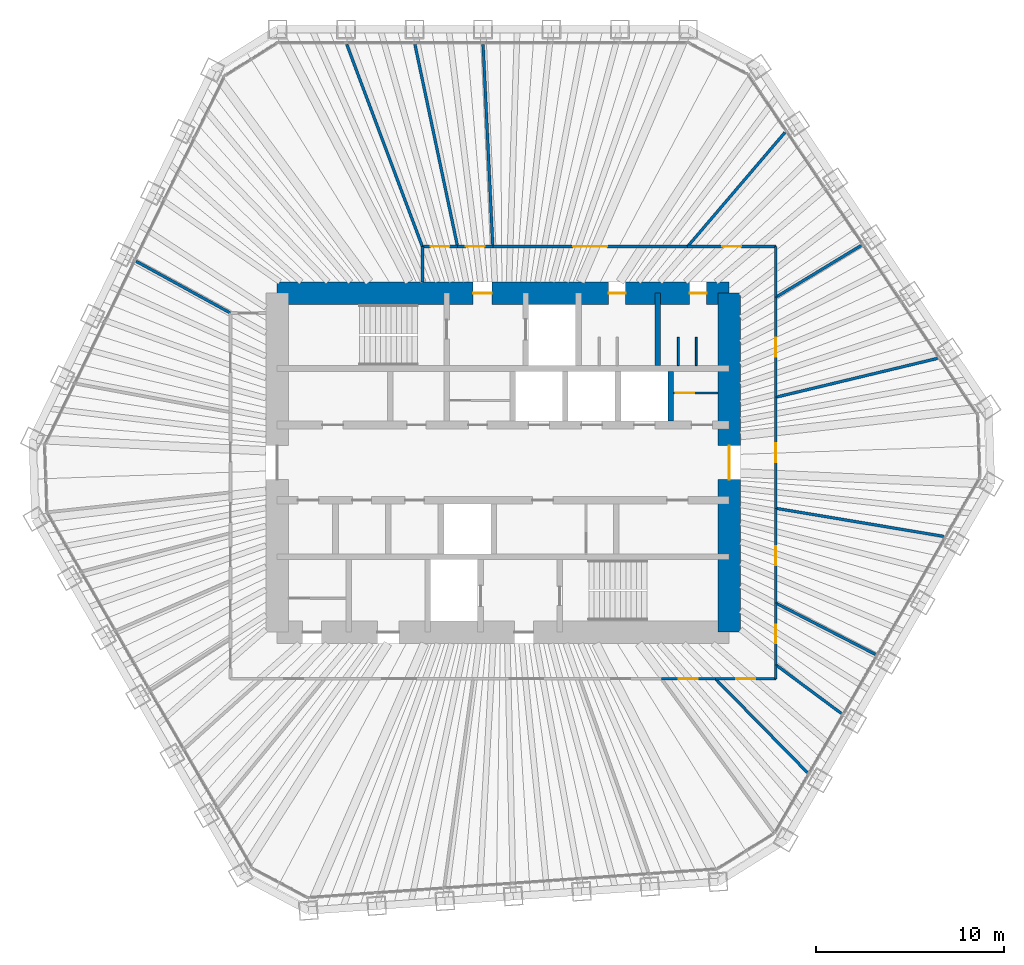
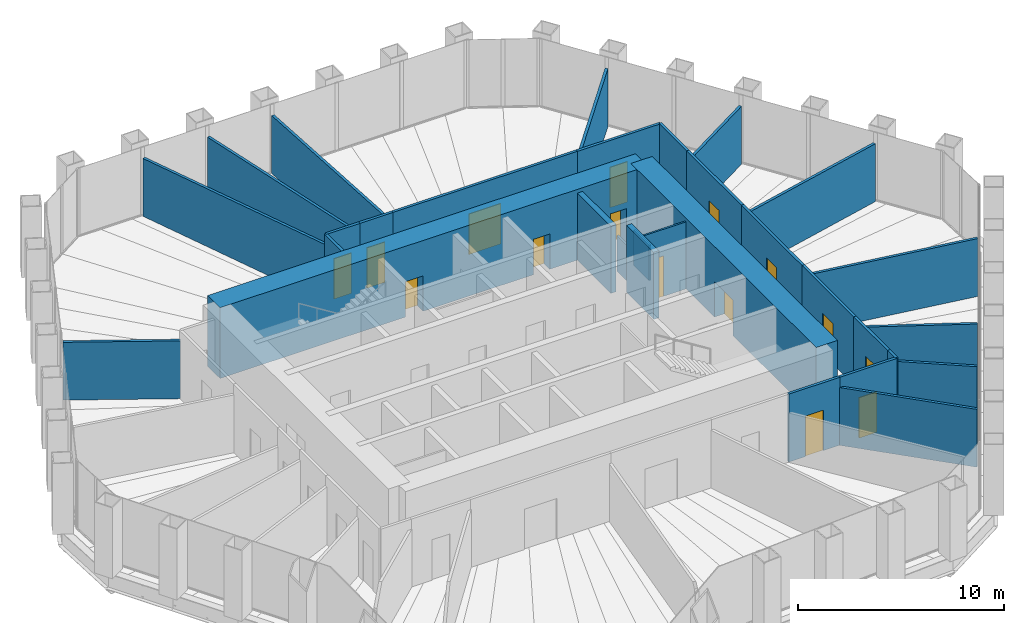
# One storey, part 12 of 14: 31 walls, 15 doors, 15 openings.
"""IFC4 building model written with IfcOpenShell, lengths in metres."""

from ifc_helpers import new_model, si_unit, direction, frame, frame_2d, origin, place, context, subcontext, project, spatial, rectangle, extrude, material, layer, layer_set, type_object, element, fill, save


model = new_model("IFC4")

# Units and contexts
model_context = context("Model", 3, precision=1e-05, world=origin(), true_north=direction((0.0, 1.0)))
body_context = subcontext(model_context, "Body", "Model", "MODEL_VIEW")
ifc_project = project(units=[si_unit("LENGTHUNIT", "METRE"), si_unit("AREAUNIT", "SQUARE_METRE"), si_unit("VOLUMEUNIT", "CUBIC_METRE"), si_unit("PLANEANGLEUNIT", "RADIAN"), si_unit("MASSUNIT", "GRAM", prefix="KILO")], contexts=[model_context])

# Site, building, storey
site_placement = place(None, origin())
site = spatial("IfcSite", under=ifc_project, at=site_placement, CompositionType="ELEMENT")
building_placement = place(site_placement, origin())
building = spatial("IfcBuilding", under=site, at=building_placement, Name="Qingtian Harvest Tower", CompositionType="ELEMENT")
storey_placement = place(building_placement, frame((0.0, 0.0, 235.0)))
storey = spatial("IfcBuildingStorey", under=building, at=storey_placement, Name="L51", CompositionType="ELEMENT", Elevation=235.0)

# Walls
ifc_material_1 = material(Name="Precast concrete shaft panel", Category="concrete")
ifc_layer_1 = layer(ifc_material_1, 0.300048828125)
ifc_layer_set_1 = layer_set([ifc_layer_1], Name="Core shaft partition SW1 300")
wall_type_1 = type_object("IfcWallType", Name="Core shaft partition SW1 300", PredefinedType="PARTITIONING", material=ifc_layer_set_1)
wall_1_placement = place(storey_placement, frame((8.199951171875, 5.14990234375, 0.0), z_axis=(0.0, 0.0, 1.0), x_axis=(0.0, 1.0, 0.0)))
element("IfcWall", 1, at=wall_1_placement, inside=storey, type_object=wall_type_1, Name="Core shaft partition XN4 L51", PredefinedType="PARTITIONING", context=body_context, shape_type="SweptSolid", body=[
    extrude(rectangle(XDim=3.85009765625, YDim=0.300048828125, at=frame_2d((1.925048828125, 0.0))), origin(), (0.0, 0.0, 1.0), 3.97998046875),
])
wall_2_placement = place(storey_placement, frame((8.89990234375, 2.199951171875, 0.0), z_axis=(0.0, 0.0, 1.0), x_axis=(0.0, 1.0, 0.0)))
element("IfcWall", 2, at=wall_2_placement, inside=storey, type_object=wall_type_1, Name="Core shaft partition XA6 L51", PredefinedType="PARTITIONING", context=body_context, shape_type="SweptSolid", body=[
    extrude(rectangle(XDim=2.650146484375, YDim=0.300048828125, at=frame_2d((1.3251953125, 0.0))), origin(), (0.0, 0.0, 1.0), 3.97998046875),
])

# Wall, openings, doors
ifc_material_2 = material(Name="Concrete fc' 70 MPa", Category="concrete")
ifc_layer_2 = layer(ifc_material_2, 1.199951171875)
ifc_layer_set_2 = layer_set([ifc_layer_2], Name="Core wall RC2 1200")
wall_type_2 = type_object("IfcWallType", Name="Core wall RC2 1200", PredefinedType="SHEAR", material=ifc_layer_set_2)
wall_3_placement = place(storey_placement, frame((-12.0, 9.0, 0.0), z_axis=(0.0, 0.0, 1.0), x_axis=(1.0, 0.0, 0.0)))
wall_3 = element("IfcWall", 3, at=wall_3_placement, inside=storey, type_object=wall_type_2, Name="Core wall CN L51", PredefinedType="SHEAR", context=body_context, shape_type="SweptSolid", body=[
    extrude(rectangle(XDim=24.0, YDim=1.199951171875, at=frame_2d((12.0, 0.0))), origin(), (0.0, 0.0, 1.0), 4.199951171875),
])
opening_1_placement = place(wall_3_placement, frame((10.39990234375, 0.0, 0.0)))
opening_1 = element("IfcOpeningElement", 4, at=opening_1_placement, cuts=wall_3, Name="Opening FD1", PredefinedType="OPENING", context=body_context, shape_type="SweptSolid", body=[
    extrude(rectangle(XDim=1.0, YDim=2.10009765625, at=frame_2d((0.5, 1.050048828125))), frame((0.0, 0.60986328125, 0.0), z_axis=(0.0, -1.0, 0.0), x_axis=(1.0, 0.0, 0.0)), (0.0, 0.0, 1.0), 1.219970703125),
])
opening_2_placement = place(wall_3_placement, frame((17.60009765625, 0.0, 0.0)))
opening_2 = element("IfcOpeningElement", 5, at=opening_2_placement, cuts=wall_3, Name="Opening D1", PredefinedType="OPENING", context=body_context, shape_type="SweptSolid", body=[
    extrude(rectangle(XDim=0.89990234375, YDim=2.10009765625, at=frame_2d((0.449951171875, 1.050048828125))), frame((0.0, 0.60986328125, 0.0), z_axis=(0.0, -1.0, 0.0), x_axis=(1.0, 0.0, 0.0)), (0.0, 0.0, 1.0), 1.219970703125),
])
opening_3_placement = place(wall_3_placement, frame((21.89990234375, 0.0, 0.0)))
opening_3 = element("IfcOpeningElement", 6, at=opening_3_placement, cuts=wall_3, Name="Opening D1", PredefinedType="OPENING", context=body_context, shape_type="SweptSolid", body=[
    extrude(rectangle(XDim=0.89990234375, YDim=2.10009765625, at=frame_2d((0.449951171875, 1.050048828125))), frame((0.0, 0.60986328125, 0.0), z_axis=(0.0, -1.0, 0.0), x_axis=(1.0, 0.0, 0.0)), (0.0, 0.0, 1.0), 1.219970703125),
])
ifc_material_3 = material(Name="Steel-faced door leaf", Category="steel")
door_type_1 = type_object("IfcDoorType", Name="Fire door FD1 single 1 HR", OperationType="SINGLE_SWING_LEFT", PredefinedType="DOOR", material=ifc_material_3)
door_1_placement = place(opening_1_placement, origin())
door_1 = element("IfcDoor", 7, at=door_1_placement, inside=storey, type_object=door_type_1, Name="V1 door L51", OperationType="SINGLE_SWING_RIGHT", OverallHeight=2.10009765625, OverallWidth=1.0, PredefinedType="DOOR", context=body_context, shape_type="SweptSolid", body=[
    extrude(rectangle(XDim=1.0, YDim=2.10009765625, at=frame_2d((0.5, 1.050048828125))), frame((0.0, 0.02490234375, 0.0), z_axis=(0.0, -1.0, 0.0), x_axis=(1.0, 0.0, 0.0)), (0.0, 0.0, 1.0), 0.050048828125),
])
fill(opening_1, door_1)
ifc_material_4 = material(Name="Laminated timber door leaf", Category="wood")
door_type_2 = type_object("IfcDoorType", Name="Toilet door D1 single", OperationType="SINGLE_SWING_LEFT", PredefinedType="DOOR", material=ifc_material_4)
door_2_placement = place(opening_2_placement, origin())
door_2 = element("IfcDoor", 8, at=door_2_placement, inside=storey, type_object=door_type_2, Name="WCM door L51", OperationType="SINGLE_SWING_LEFT", OverallHeight=2.10009765625, OverallWidth=0.89990234375, PredefinedType="DOOR", context=body_context, shape_type="SweptSolid", body=[
    extrude(rectangle(XDim=0.89990234375, YDim=2.10009765625, at=frame_2d((0.449951171875, 1.050048828125))), frame((0.0, 0.02490234375, 0.0), z_axis=(0.0, -1.0, 0.0), x_axis=(1.0, 0.0, 0.0)), (0.0, 0.0, 1.0), 0.050048828125),
])
fill(opening_2, door_2)
door_3_placement = place(opening_3_placement, origin())
door_3 = element("IfcDoor", 9, at=door_3_placement, inside=storey, type_object=door_type_2, Name="WCF door L51", OperationType="SINGLE_SWING_LEFT", OverallHeight=2.10009765625, OverallWidth=0.89990234375, PredefinedType="DOOR", context=body_context, shape_type="SweptSolid", body=[
    extrude(rectangle(XDim=0.89990234375, YDim=2.10009765625, at=frame_2d((0.449951171875, 1.050048828125))), frame((0.0, 0.02490234375, 0.0), z_axis=(0.0, -1.0, 0.0), x_axis=(1.0, 0.0, 0.0)), (0.0, 0.0, 1.0), 0.050048828125),
])
fill(opening_3, door_3)

# Wall, opening, door
wall_4_placement = place(storey_placement, frame((12.0, -9.0, 0.0), z_axis=(0.0, 0.0, 1.0), x_axis=(0.0, 1.0, 0.0)))
wall_4 = element("IfcWall", 10, at=wall_4_placement, inside=storey, type_object=wall_type_2, Name="Core wall CE L51", PredefinedType="SHEAR", context=body_context, shape_type="SweptSolid", body=[
    extrude(rectangle(XDim=18.0, YDim=1.199951171875, at=frame_2d((9.0, 0.0))), origin(), (0.0, 0.0, 1.0), 4.199951171875),
])
opening_4_placement = place(wall_4_placement, frame((8.10009765625, 0.0, 0.0)))
opening_4 = element("IfcOpeningElement", 11, at=opening_4_placement, cuts=wall_4, Name="Opening FD2", PredefinedType="OPENING", context=body_context, shape_type="SweptSolid", body=[
    extrude(rectangle(XDim=1.800048828125, YDim=2.10009765625, at=frame_2d((0.89990234375, 1.050048828125))), frame((0.0, 0.60986328125, 0.0), z_axis=(0.0, -1.0, 0.0), x_axis=(1.0, 0.0, 0.0)), (0.0, 0.0, 1.0), 1.219970703125),
])
ifc_material_5 = material(Name="Steel-faced door leaf", Category="steel")
door_type_3 = type_object("IfcDoorType", Name="Fire door FD2 double 1 HR", OperationType="DOUBLE_DOOR_DOUBLE_SWING", PredefinedType="DOOR", material=ifc_material_5)
door_4_placement = place(opening_4_placement, origin())
door_4 = element("IfcDoor", 12, at=door_4_placement, inside=storey, type_object=door_type_3, Name="LOBBY-E door L51", OperationType="DOUBLE_DOOR_DOUBLE_SWING", OverallHeight=2.10009765625, OverallWidth=1.800048828125, PredefinedType="DOOR", context=body_context, shape_type="SweptSolid", body=[
    extrude(rectangle(XDim=1.800048828125, YDim=2.10009765625, at=frame_2d((0.89990234375, 1.050048828125))), frame((0.0, 0.02490234375, 0.0), z_axis=(0.0, -1.0, 0.0), x_axis=(1.0, 0.0, 0.0)), (0.0, 0.0, 1.0), 0.050048828125),
])
fill(opening_4, door_4)

# Walls
ifc_material_6 = material(Name="Gypsum board on steel studs", Category="steel")
ifc_layer_3 = layer(ifc_material_6, 0.14990234375)
ifc_layer_set_3 = layer_set([ifc_layer_3], Name="Partition PT1 150")
wall_type_3 = type_object("IfcWallType", Name="Partition PT1 150", PredefinedType="PARTITIONING", material=ifc_layer_set_3)
wall_5_placement = place(storey_placement, frame((-19.48583984375, 10.6904296875, 0.0), z_axis=(0.0, 0.0, 1.0), x_axis=(0.876724089264, -0.480993629172, 0.0)))
element("IfcWall", 13, at=wall_5_placement, inside=storey, type_object=wall_type_3, Name="Workplace zone wall L51", PredefinedType="PARTITIONING", context=body_context, shape_type="SweptSolid", body=[
    extrude(rectangle(XDim=5.71533203125, YDim=0.14990234375, at=frame_2d((2.857666015625, 0.0))), origin(), (0.0, 0.0, 1.0), 3.429931640625),
])
wall_6_placement = place(storey_placement, frame((-4.290771484375, 9.60009765625, 0.0), z_axis=(0.0, 0.0, 1.0), x_axis=(0.0, 1.0, 0.0)))
element("IfcWall", 14, at=wall_6_placement, inside=storey, type_object=wall_type_3, Name="Workplace zone wall L51", PredefinedType="PARTITIONING", context=body_context, shape_type="SweptSolid", body=[
    extrude(rectangle(XDim=1.875, YDim=0.14990234375, at=frame_2d((0.9375, 0.0))), origin(), (0.0, 0.0, 1.0), 4.030029296875),
])
wall_7_placement = place(storey_placement, frame((-8.303466796875, 22.206298828125, 0.0), z_axis=(0.0, 0.0, 1.0), x_axis=(0.350242883069, -0.936658914899, 0.0)))
element("IfcWall", 15, at=wall_7_placement, inside=storey, type_object=wall_type_3, Name="Private office wall L51", PredefinedType="PARTITIONING", context=body_context, shape_type="SweptSolid", body=[
    extrude(rectangle(XDim=11.456787109375, YDim=0.14990234375, at=frame_2d((5.728515625, 0.0))), origin(), (0.0, 0.0, 1.0), 3.429931640625),
])

# Wall, opening, door
wall_8_placement = place(storey_placement, frame((-4.290771484375, 11.47509765625, 0.0), z_axis=(0.0, 0.0, 1.0), x_axis=(1.0, 0.0, 0.0)))
wall_8 = element("IfcWall", 16, at=wall_8_placement, inside=storey, type_object=wall_type_3, Name="Private office wall L51", PredefinedType="PARTITIONING", context=body_context, shape_type="SweptSolid", body=[
    extrude(rectangle(XDim=1.869873046875, YDim=0.14990234375, at=frame_2d((0.93505859375, 0.0))), origin(), (0.0, 0.0, 1.0), 4.030029296875),
])
opening_5_placement = place(wall_8_placement, frame((0.434814453125, 0.0, 0.0)))
opening_5 = element("IfcOpeningElement", 17, at=opening_5_placement, cuts=wall_8, Name="Opening D2", PredefinedType="OPENING", context=body_context, shape_type="SweptSolid", body=[
    extrude(rectangle(XDim=1.0, YDim=2.39990234375, at=frame_2d((0.5, 1.199951171875))), frame((0.0, 0.0849609375, 0.0), z_axis=(0.0, -1.0, 0.0), x_axis=(1.0, 0.0, 0.0)), (0.0, 0.0, 1.0), 0.169921875),
])
ifc_material_7 = material(Name="Laminated timber door leaf", Category="wood")
door_type_4 = type_object("IfcDoorType", Name="Room door D2 single", OperationType="SINGLE_SWING_LEFT", PredefinedType="DOOR", material=ifc_material_7)
door_5_placement = place(opening_5_placement, origin())
door_5 = element("IfcDoor", 18, at=door_5_placement, inside=storey, type_object=door_type_4, Name="Private office door L51", OperationType="SINGLE_SWING_LEFT", OverallHeight=2.39990234375, OverallWidth=1.0, PredefinedType="DOOR", context=body_context, shape_type="SweptSolid", body=[
    extrude(rectangle(XDim=1.0, YDim=2.39990234375, at=frame_2d((0.5, 1.199951171875))), frame((0.0, 0.02490234375, 0.0), z_axis=(0.0, -1.0, 0.0), x_axis=(1.0, 0.0, 0.0)), (0.0, 0.0, 1.0), 0.050048828125),
])
fill(opening_5, door_5)

# Wall
wall_9_placement = place(storey_placement, frame((-4.684326171875, 22.2021484375, 0.0), z_axis=(0.0, 0.0, 1.0), x_axis=(0.206456017157, -0.978455881979, 0.0)))
element("IfcWall", 19, at=wall_9_placement, inside=storey, type_object=wall_type_3, Name="Store room wall L51", PredefinedType="PARTITIONING", context=body_context, shape_type="SweptSolid", body=[
    extrude(rectangle(XDim=10.963134765625, YDim=0.14990234375, at=frame_2d((5.4814453125, 0.0))), origin(), (0.0, 0.0, 1.0), 3.429931640625),
])

# Wall, opening, door
wall_10_placement = place(storey_placement, frame((-2.4208984375, 11.47509765625, 0.0), z_axis=(0.0, 0.0, 1.0), x_axis=(1.0, 0.0, 0.0)))
wall_10 = element("IfcWall", 20, at=wall_10_placement, inside=storey, type_object=wall_type_3, Name="Store room wall L51", PredefinedType="PARTITIONING", context=body_context, shape_type="SweptSolid", body=[
    extrude(rectangle(XDim=1.86962890625, YDim=0.14990234375, at=frame_2d((0.934814453125, 0.0))), origin(), (0.0, 0.0, 1.0), 4.030029296875),
])
opening_6_placement = place(wall_10_placement, frame((0.434814453125, 0.0, 0.0)))
opening_6 = element("IfcOpeningElement", 21, at=opening_6_placement, cuts=wall_10, Name="Opening D2", PredefinedType="OPENING", context=body_context, shape_type="SweptSolid", body=[
    extrude(rectangle(XDim=1.0, YDim=2.39990234375, at=frame_2d((0.5, 1.199951171875))), frame((0.0, 0.0849609375, 0.0), z_axis=(0.0, -1.0, 0.0), x_axis=(1.0, 0.0, 0.0)), (0.0, 0.0, 1.0), 0.169921875),
])
door_6_placement = place(opening_6_placement, origin())
door_6 = element("IfcDoor", 22, at=door_6_placement, inside=storey, type_object=door_type_4, Name="Store room door L51", OperationType="SINGLE_SWING_LEFT", OverallHeight=2.39990234375, OverallWidth=1.0, PredefinedType="DOOR", context=body_context, shape_type="SweptSolid", body=[
    extrude(rectangle(XDim=1.0, YDim=2.39990234375, at=frame_2d((0.5, 1.199951171875))), frame((0.0, 0.02490234375, 0.0), z_axis=(0.0, -1.0, 0.0), x_axis=(1.0, 0.0, 0.0)), (0.0, 0.0, 1.0), 0.050048828125),
])
fill(opening_6, door_6)

# Wall
wall_11_placement = place(storey_placement, frame((-1.066650390625, 22.2001953125, 0.0), z_axis=(0.0, 0.0, 1.0), x_axis=(0.047998335863, -0.998847415652, 0.0)))
element("IfcWall", 23, at=wall_11_placement, inside=storey, type_object=wall_type_3, Name="Workplace zone wall L51", PredefinedType="PARTITIONING", context=body_context, shape_type="SweptSolid", body=[
    extrude(rectangle(XDim=10.737548828125, YDim=0.14990234375, at=frame_2d((5.36865234375, 0.0))), origin(), (0.0, 0.0, 1.0), 3.429931640625),
])

# Wall, opening, door
wall_12_placement = place(storey_placement, frame((-0.55126953125, 11.47509765625, 0.0), z_axis=(0.0, 0.0, 1.0), x_axis=(1.0, 0.0, 0.0)))
wall_12 = element("IfcWall", 24, at=wall_12_placement, inside=storey, type_object=wall_type_3, Name="Workplace zone wall L51", PredefinedType="PARTITIONING", context=body_context, shape_type="SweptSolid", body=[
    extrude(rectangle(XDim=10.34228515625, YDim=0.14990234375, at=frame_2d((5.171142578125, 0.0))), origin(), (0.0, 0.0, 1.0), 4.030029296875),
])
opening_7_placement = place(wall_12_placement, frame((4.271240234375, 0.0, 0.0)))
opening_7 = element("IfcOpeningElement", 25, at=opening_7_placement, cuts=wall_12, Name="Opening D3", PredefinedType="OPENING", context=body_context, shape_type="SweptSolid", body=[
    extrude(rectangle(XDim=1.800048828125, YDim=2.39990234375, at=frame_2d((0.89990234375, 1.199951171875))), frame((0.0, 0.0849609375, 0.0), z_axis=(0.0, -1.0, 0.0), x_axis=(1.0, 0.0, 0.0)), (0.0, 0.0, 1.0), 0.169921875),
])
ifc_material_8 = material(Name="Laminated timber door leaf", Category="wood")
door_type_5 = type_object("IfcDoorType", Name="Room door D3 double", OperationType="DOUBLE_DOOR_DOUBLE_SWING", PredefinedType="DOOR", material=ifc_material_8)
door_7_placement = place(opening_7_placement, origin())
door_7 = element("IfcDoor", 26, at=door_7_placement, inside=storey, type_object=door_type_5, Name="Workplace zone door L51", OperationType="DOUBLE_DOOR_DOUBLE_SWING", OverallHeight=2.39990234375, OverallWidth=1.800048828125, PredefinedType="DOOR", context=body_context, shape_type="SweptSolid", body=[
    extrude(rectangle(XDim=1.800048828125, YDim=2.39990234375, at=frame_2d((0.89990234375, 1.199951171875))), frame((0.0, 0.02490234375, 0.0), z_axis=(0.0, -1.0, 0.0), x_axis=(1.0, 0.0, 0.0)), (0.0, 0.0, 1.0), 0.050048828125),
])
fill(opening_7, door_7)

# Wall
wall_13_placement = place(storey_placement, frame((14.9580078125, 17.530517578125, 0.0), z_axis=(0.0, 0.0, 1.0), x_axis=(-0.649097500837, -0.760705221756, 0.0)))
element("IfcWall", 27, at=wall_13_placement, inside=storey, type_object=wall_type_3, Name="Pantry wall L51", PredefinedType="PARTITIONING", context=body_context, shape_type="SweptSolid", body=[
    extrude(rectangle(XDim=7.960205078125, YDim=0.14990234375, at=frame_2d((3.97998046875, 0.0))), origin(), (0.0, 0.0, 1.0), 3.429931640625),
])

# Wall, opening, door
wall_14_placement = place(storey_placement, frame((9.791015625, 11.47509765625, 0.0), z_axis=(0.0, 0.0, 1.0), x_axis=(1.0, 0.0, 0.0)))
wall_14 = element("IfcWall", 28, at=wall_14_placement, inside=storey, type_object=wall_type_3, Name="Pantry wall L51", PredefinedType="PARTITIONING", context=body_context, shape_type="SweptSolid", body=[
    extrude(rectangle(XDim=4.68408203125, YDim=0.14990234375, at=frame_2d((2.342041015625, 0.0))), origin(), (0.0, 0.0, 1.0), 4.030029296875),
])
opening_8_placement = place(wall_14_placement, frame((1.842041015625, 0.0, 0.0)))
opening_8 = element("IfcOpeningElement", 29, at=opening_8_placement, cuts=wall_14, Name="Opening D2", PredefinedType="OPENING", context=body_context, shape_type="SweptSolid", body=[
    extrude(rectangle(XDim=1.0, YDim=2.39990234375, at=frame_2d((0.5, 1.199951171875))), frame((0.0, 0.0849609375, 0.0), z_axis=(0.0, -1.0, 0.0), x_axis=(1.0, 0.0, 0.0)), (0.0, 0.0, 1.0), 0.169921875),
])
door_8_placement = place(opening_8_placement, origin())
door_8 = element("IfcDoor", 30, at=door_8_placement, inside=storey, type_object=door_type_4, Name="Pantry door L51", OperationType="SINGLE_SWING_RIGHT", OverallHeight=2.39990234375, OverallWidth=1.0, PredefinedType="DOOR", context=body_context, shape_type="SweptSolid", body=[
    extrude(rectangle(XDim=1.0, YDim=2.39990234375, at=frame_2d((0.5, 1.199951171875))), frame((0.0, 0.02490234375, 0.0), z_axis=(0.0, -1.0, 0.0), x_axis=(1.0, 0.0, 0.0)), (0.0, 0.0, 1.0), 0.050048828125),
])
fill(opening_8, door_8)

# Walls
wall_15_placement = place(storey_placement, frame((14.47509765625, 11.47509765625, 0.0), z_axis=(0.0, 0.0, 1.0), x_axis=(0.0, -1.0, 0.0)))
element("IfcWall", 31, at=wall_15_placement, inside=storey, type_object=wall_type_3, Name="Pantry wall L51", PredefinedType="PARTITIONING", context=body_context, shape_type="SweptSolid", body=[
    extrude(rectangle(XDim=2.691650390625, YDim=0.14990234375, at=frame_2d((1.345703125, 0.0))), origin(), (0.0, 0.0, 1.0), 4.030029296875),
])
wall_16_placement = place(storey_placement, frame((19.001220703125, 11.530029296875, 0.0), z_axis=(0.0, 0.0, 1.0), x_axis=(-0.854906581035, -0.518781975114, 0.0)))
element("IfcWall", 32, at=wall_16_placement, inside=storey, type_object=wall_type_3, Name="Print room wall L51", PredefinedType="PARTITIONING", context=body_context, shape_type="SweptSolid", body=[
    extrude(rectangle(XDim=5.294189453125, YDim=0.14990234375, at=frame_2d((2.64697265625, 0.0))), origin(), (0.0, 0.0, 1.0), 3.429931640625),
])

# Wall, opening, door
wall_17_placement = place(storey_placement, frame((14.47509765625, 8.783447265625, 0.0), z_axis=(0.0, 0.0, 1.0), x_axis=(0.0, -1.0, 0.0)))
wall_17 = element("IfcWall", 33, at=wall_17_placement, inside=storey, type_object=wall_type_3, Name="Print room wall L51", PredefinedType="PARTITIONING", context=body_context, shape_type="SweptSolid", body=[
    extrude(rectangle(XDim=5.308837890625, YDim=0.14990234375, at=frame_2d((2.654296875, 0.0))), origin(), (0.0, 0.0, 1.0), 4.030029296875),
])
opening_9_placement = place(wall_17_placement, frame((2.154296875, 0.0, 0.0)))
opening_9 = element("IfcOpeningElement", 34, at=opening_9_placement, cuts=wall_17, Name="Opening D2", PredefinedType="OPENING", context=body_context, shape_type="SweptSolid", body=[
    extrude(rectangle(XDim=1.0, YDim=2.39990234375, at=frame_2d((0.5, 1.199951171875))), frame((0.0, 0.0849609375, 0.0), z_axis=(0.0, -1.0, 0.0), x_axis=(1.0, 0.0, 0.0)), (0.0, 0.0, 1.0), 0.169921875),
])
door_9_placement = place(opening_9_placement, origin())
door_9 = element("IfcDoor", 35, at=door_9_placement, inside=storey, type_object=door_type_4, Name="Print room door L51", OperationType="SINGLE_SWING_RIGHT", OverallHeight=2.39990234375, OverallWidth=1.0, PredefinedType="DOOR", context=body_context, shape_type="SweptSolid", body=[
    extrude(rectangle(XDim=1.0, YDim=2.39990234375, at=frame_2d((0.5, 1.199951171875))), frame((0.0, 0.02490234375, 0.0), z_axis=(0.0, -1.0, 0.0), x_axis=(1.0, 0.0, 0.0)), (0.0, 0.0, 1.0), 0.050048828125),
])
fill(opening_9, door_9)

# Wall
wall_18_placement = place(storey_placement, frame((23.052978515625, 5.53369140625, 0.0), z_axis=(0.0, 0.0, 1.0), x_axis=(-0.972377252501, -0.233414821335, 0.0)))
element("IfcWall", 36, at=wall_18_placement, inside=storey, type_object=wall_type_3, Name="Meeting room wall L51", PredefinedType="PARTITIONING", context=body_context, shape_type="SweptSolid", body=[
    extrude(rectangle(XDim=8.821533203125, YDim=0.14990234375, at=frame_2d((4.41064453125, 0.0))), origin(), (0.0, 0.0, 1.0), 3.429931640625),
])

# Wall, opening, door
wall_19_placement = place(storey_placement, frame((14.47509765625, 3.474609375, 0.0), z_axis=(0.0, 0.0, 1.0), x_axis=(0.0, -1.0, 0.0)))
wall_19 = element("IfcWall", 37, at=wall_19_placement, inside=storey, type_object=wall_type_3, Name="Meeting room wall L51", PredefinedType="PARTITIONING", context=body_context, shape_type="SweptSolid", body=[
    extrude(rectangle(XDim=5.896484375, YDim=0.14990234375, at=frame_2d((2.9482421875, 0.0))), origin(), (0.0, 0.0, 1.0), 4.030029296875),
])
opening_10_placement = place(wall_19_placement, frame((2.4482421875, 0.0, 0.0)))
opening_10 = element("IfcOpeningElement", 38, at=opening_10_placement, cuts=wall_19, Name="Opening D2", PredefinedType="OPENING", context=body_context, shape_type="SweptSolid", body=[
    extrude(rectangle(XDim=1.0, YDim=2.39990234375, at=frame_2d((0.5, 1.199951171875))), frame((0.0, 0.0849609375, 0.0), z_axis=(0.0, -1.0, 0.0), x_axis=(1.0, 0.0, 0.0)), (0.0, 0.0, 1.0), 0.169921875),
])
door_10_placement = place(opening_10_placement, origin())
door_10 = element("IfcDoor", 39, at=door_10_placement, inside=storey, type_object=door_type_4, Name="Meeting room door L51", OperationType="SINGLE_SWING_RIGHT", OverallHeight=2.39990234375, OverallWidth=1.0, PredefinedType="DOOR", context=body_context, shape_type="SweptSolid", body=[
    extrude(rectangle(XDim=1.0, YDim=2.39990234375, at=frame_2d((0.5, 1.199951171875))), frame((0.0, 0.02490234375, 0.0), z_axis=(0.0, -1.0, 0.0), x_axis=(1.0, 0.0, 0.0)), (0.0, 0.0, 1.0), 0.050048828125),
])
fill(opening_10, door_10)

# Wall
wall_20_placement = place(storey_placement, frame((23.383056640625, -3.912109375, 0.0), z_axis=(0.0, 0.0, 1.0), x_axis=(-0.986293651891, 0.164999491631, 0.0)))
element("IfcWall", 40, at=wall_20_placement, inside=storey, type_object=wall_type_3, Name="Quiet room wall L51", PredefinedType="PARTITIONING", context=body_context, shape_type="SweptSolid", body=[
    extrude(rectangle(XDim=9.03173828125, YDim=0.14990234375, at=frame_2d((4.515869140625, 0.0))), origin(), (0.0, 0.0, 1.0), 3.429931640625),
])

# Wall, opening, door
wall_21_placement = place(storey_placement, frame((14.47509765625, -2.421875, 0.0), z_axis=(0.0, 0.0, 1.0), x_axis=(0.0, -1.0, 0.0)))
wall_21 = element("IfcWall", 41, at=wall_21_placement, inside=storey, type_object=wall_type_3, Name="Quiet room wall L51", PredefinedType="PARTITIONING", context=body_context, shape_type="SweptSolid", body=[
    extrude(rectangle(XDim=5.033203125, YDim=0.14990234375, at=frame_2d((2.5166015625, 0.0))), origin(), (0.0, 0.0, 1.0), 4.030029296875),
])
opening_11_placement = place(wall_21_placement, frame((2.0166015625, 0.0, 0.0)))
opening_11 = element("IfcOpeningElement", 42, at=opening_11_placement, cuts=wall_21, Name="Opening D2", PredefinedType="OPENING", context=body_context, shape_type="SweptSolid", body=[
    extrude(rectangle(XDim=1.0, YDim=2.39990234375, at=frame_2d((0.5, 1.199951171875))), frame((0.0, 0.0849609375, 0.0), z_axis=(0.0, -1.0, 0.0), x_axis=(1.0, 0.0, 0.0)), (0.0, 0.0, 1.0), 0.169921875),
])
door_11_placement = place(opening_11_placement, origin())
door_11 = element("IfcDoor", 43, at=door_11_placement, inside=storey, type_object=door_type_4, Name="Quiet room door L51", OperationType="SINGLE_SWING_RIGHT", OverallHeight=2.39990234375, OverallWidth=1.0, PredefinedType="DOOR", context=body_context, shape_type="SweptSolid", body=[
    extrude(rectangle(XDim=1.0, YDim=2.39990234375, at=frame_2d((0.5, 1.199951171875))), frame((0.0, 0.02490234375, 0.0), z_axis=(0.0, -1.0, 0.0), x_axis=(1.0, 0.0, 0.0)), (0.0, 0.0, 1.0), 0.050048828125),
])
fill(opening_11, door_11)

# Wall
wall_22_placement = place(storey_placement, frame((19.759033203125, -10.176513671875, 0.0), z_axis=(0.0, 0.0, 1.0), x_axis=(-0.889015092721, 0.457877893017, 0.0)))
element("IfcWall", 44, at=wall_22_placement, inside=storey, type_object=wall_type_3, Name="Private office wall L51", PredefinedType="PARTITIONING", context=body_context, shape_type="SweptSolid", body=[
    extrude(rectangle(XDim=5.943603515625, YDim=0.14990234375, at=frame_2d((2.9716796875, 0.0))), origin(), (0.0, 0.0, 1.0), 3.429931640625),
])

# Wall, opening, door
wall_23_placement = place(storey_placement, frame((14.47509765625, -7.455078125, 0.0), z_axis=(0.0, 0.0, 1.0), x_axis=(0.0, -1.0, 0.0)))
wall_23 = element("IfcWall", 45, at=wall_23_placement, inside=storey, type_object=wall_type_3, Name="Private office wall L51", PredefinedType="PARTITIONING", context=body_context, shape_type="SweptSolid", body=[
    extrude(rectangle(XDim=3.277099609375, YDim=0.14990234375, at=frame_2d((1.638671875, 0.0))), origin(), (0.0, 0.0, 1.0), 4.030029296875),
])
opening_12_placement = place(wall_23_placement, frame((1.138671875, 0.0, 0.0)))
opening_12 = element("IfcOpeningElement", 46, at=opening_12_placement, cuts=wall_23, Name="Opening D2", PredefinedType="OPENING", context=body_context, shape_type="SweptSolid", body=[
    extrude(rectangle(XDim=1.0, YDim=2.39990234375, at=frame_2d((0.5, 1.199951171875))), frame((0.0, 0.0849609375, 0.0), z_axis=(0.0, -1.0, 0.0), x_axis=(1.0, 0.0, 0.0)), (0.0, 0.0, 1.0), 0.169921875),
])
door_12_placement = place(opening_12_placement, origin())
door_12 = element("IfcDoor", 47, at=door_12_placement, inside=storey, type_object=door_type_4, Name="Private office door L51", OperationType="SINGLE_SWING_LEFT", OverallHeight=2.39990234375, OverallWidth=1.0, PredefinedType="DOOR", context=body_context, shape_type="SweptSolid", body=[
    extrude(rectangle(XDim=1.0, YDim=2.39990234375, at=frame_2d((0.5, 1.199951171875))), frame((0.0, 0.02490234375, 0.0), z_axis=(0.0, -1.0, 0.0), x_axis=(1.0, 0.0, 0.0)), (0.0, 0.0, 1.0), 0.050048828125),
])
fill(opening_12, door_12)

# Walls
wall_24_placement = place(storey_placement, frame((17.950927734375, -13.309326171875, 0.0), z_axis=(0.0, 0.0, 1.0), x_axis=(-0.803285242674, 0.595594508791, 0.0)))
element("IfcWall", 48, at=wall_24_placement, inside=storey, type_object=wall_type_3, Name="Private office wall L51", PredefinedType="PARTITIONING", context=body_context, shape_type="SweptSolid", body=[
    extrude(rectangle(XDim=4.326904296875, YDim=0.14990234375, at=frame_2d((2.16357421875, 0.0))), origin(), (0.0, 0.0, 1.0), 3.429931640625),
])
wall_25_placement = place(storey_placement, frame((14.47509765625, -10.732177734375, 0.0), z_axis=(0.0, 0.0, 1.0), x_axis=(0.0, -1.0, 0.0)))
element("IfcWall", 49, at=wall_25_placement, inside=storey, type_object=wall_type_3, Name="Private office wall L51", PredefinedType="PARTITIONING", context=body_context, shape_type="SweptSolid", body=[
    extrude(rectangle(XDim=0.742919921875, YDim=0.14990234375, at=frame_2d((0.37158203125, 0.0))), origin(), (0.0, 0.0, 1.0), 4.030029296875),
])

# Wall, opening, door
wall_26_placement = place(storey_placement, frame((14.47509765625, -11.47509765625, 0.0), z_axis=(0.0, 0.0, 1.0), x_axis=(-1.0, 0.0, 0.0)))
wall_26 = element("IfcWall", 50, at=wall_26_placement, inside=storey, type_object=wall_type_3, Name="Private office wall L51", PredefinedType="PARTITIONING", context=body_context, shape_type="SweptSolid", body=[
    extrude(rectangle(XDim=3.20947265625, YDim=0.14990234375, at=frame_2d((1.604736328125, 0.0))), origin(), (0.0, 0.0, 1.0), 4.030029296875),
])
opening_13_placement = place(wall_26_placement, frame((1.104736328125, 0.0, 0.0)))
opening_13 = element("IfcOpeningElement", 51, at=opening_13_placement, cuts=wall_26, Name="Opening D2", PredefinedType="OPENING", context=body_context, shape_type="SweptSolid", body=[
    extrude(rectangle(XDim=1.0, YDim=2.39990234375, at=frame_2d((0.5, 1.199951171875))), frame((0.0, 0.0849609375, 0.0), z_axis=(0.0, -1.0, 0.0), x_axis=(1.0, 0.0, 0.0)), (0.0, 0.0, 1.0), 0.169921875),
])
door_13_placement = place(opening_13_placement, origin())
door_13 = element("IfcDoor", 52, at=door_13_placement, inside=storey, type_object=door_type_4, Name="Private office door L51", OperationType="SINGLE_SWING_LEFT", OverallHeight=2.39990234375, OverallWidth=1.0, PredefinedType="DOOR", context=body_context, shape_type="SweptSolid", body=[
    extrude(rectangle(XDim=1.0, YDim=2.39990234375, at=frame_2d((0.5, 1.199951171875))), frame((0.0, 0.02490234375, 0.0), z_axis=(0.0, -1.0, 0.0), x_axis=(1.0, 0.0, 0.0)), (0.0, 0.0, 1.0), 0.050048828125),
])
fill(opening_13, door_13)

# Wall
wall_27_placement = place(storey_placement, frame((16.14453125, -16.4443359375, 0.0), z_axis=(0.0, 0.0, 1.0), x_axis=(-0.700591378209, 0.71356269576, 0.0)))
element("IfcWall", 53, at=wall_27_placement, inside=storey, type_object=wall_type_3, Name="Private office wall L51", PredefinedType="PARTITIONING", context=body_context, shape_type="SweptSolid", body=[
    extrude(rectangle(XDim=6.9638671875, YDim=0.14990234375, at=frame_2d((3.48193359375, 0.0))), origin(), (0.0, 0.0, 1.0), 3.429931640625),
])

# Wall, opening, door
wall_28_placement = place(storey_placement, frame((11.265625, -11.47509765625, 0.0), z_axis=(0.0, 0.0, 1.0), x_axis=(-1.0, 0.0, 0.0)))
wall_28 = element("IfcWall", 54, at=wall_28_placement, inside=storey, type_object=wall_type_3, Name="Private office wall L51", PredefinedType="PARTITIONING", context=body_context, shape_type="SweptSolid", body=[
    extrude(rectangle(XDim=2.863037109375, YDim=0.14990234375, at=frame_2d((1.431640625, 0.0))), origin(), (0.0, 0.0, 1.0), 4.030029296875),
])
opening_14_placement = place(wall_28_placement, frame((0.931640625, 0.0, 0.0)))
opening_14 = element("IfcOpeningElement", 55, at=opening_14_placement, cuts=wall_28, Name="Opening D2", PredefinedType="OPENING", context=body_context, shape_type="SweptSolid", body=[
    extrude(rectangle(XDim=1.0, YDim=2.39990234375, at=frame_2d((0.5, 1.199951171875))), frame((0.0, 0.0849609375, 0.0), z_axis=(0.0, -1.0, 0.0), x_axis=(1.0, 0.0, 0.0)), (0.0, 0.0, 1.0), 0.169921875),
])
door_14_placement = place(opening_14_placement, origin())
door_14 = element("IfcDoor", 56, at=door_14_placement, inside=storey, type_object=door_type_4, Name="Private office door L51", OperationType="SINGLE_SWING_LEFT", OverallHeight=2.39990234375, OverallWidth=1.0, PredefinedType="DOOR", context=body_context, shape_type="SweptSolid", body=[
    extrude(rectangle(XDim=1.0, YDim=2.39990234375, at=frame_2d((0.5, 1.199951171875))), frame((0.0, 0.02490234375, 0.0), z_axis=(0.0, -1.0, 0.0), x_axis=(1.0, 0.0, 0.0)), (0.0, 0.0, 1.0), 0.050048828125),
])
fill(opening_14, door_14)

ifc_material_9 = material(Name="Concrete block partition", Category="concrete")
ifc_layer_4 = layer(ifc_material_9, 0.10009765625)
ifc_layer_set_4 = layer_set([ifc_layer_4], Name="Store partition PT3 100")
wall_type_4 = type_object("IfcWallType", Name="Store partition PT3 100", PredefinedType="PARTITIONING", material=ifc_layer_set_4)
wall_29_placement = place(storey_placement, frame((9.050048828125, 3.699951171875, 0.0), z_axis=(0.0, 0.0, 1.0), x_axis=(1.0, 0.0, 0.0)))
wall_29 = element("IfcWall", 57, at=wall_29_placement, inside=storey, type_object=wall_type_4, Name="Filter plant room wall L51", PredefinedType="PARTITIONING", context=body_context, shape_type="SweptSolid", body=[
    extrude(rectangle(XDim=2.349853515625, YDim=0.10009765625, at=frame_2d((1.1748046875, 0.0))), origin(), (0.0, 0.0, 1.0), 3.97998046875),
])
opening_15_placement = place(wall_29_placement, frame((0.10009765625, 0.0, 0.0)))
opening_15 = element("IfcOpeningElement", 58, at=opening_15_placement, cuts=wall_29, Name="Opening D2", PredefinedType="OPENING", context=body_context, shape_type="SweptSolid", body=[
    extrude(rectangle(XDim=1.0, YDim=2.39990234375, at=frame_2d((0.5, 1.199951171875))), frame((0.0, 0.06005859375, 0.0), z_axis=(0.0, -1.0, 0.0), x_axis=(1.0, 0.0, 0.0)), (0.0, 0.0, 1.0), 0.1201171875),
])
door_15_placement = place(opening_15_placement, origin())
door_15 = element("IfcDoor", 59, at=door_15_placement, inside=storey, type_object=door_type_4, Name="Filter plant room door L51", OperationType="SINGLE_SWING_LEFT", OverallHeight=2.39990234375, OverallWidth=1.0, PredefinedType="DOOR", context=body_context, shape_type="SweptSolid", body=[
    extrude(rectangle(XDim=1.0, YDim=2.39990234375, at=frame_2d((0.5, 1.199951171875))), frame((0.0, 0.02490234375, 0.0), z_axis=(0.0, -1.0, 0.0), x_axis=(1.0, 0.0, 0.0)), (0.0, 0.0, 1.0), 0.050048828125),
])
fill(opening_15, door_15)

# Walls
ifc_material_10 = material(Name="Compact laminate cubicle partition", Category="plastic")
ifc_layer_5 = layer(ifc_material_10, 0.10009765625)
ifc_layer_set_5 = layer_set([ifc_layer_5], Name="WC cubicle partition WP1 100")
wall_type_5 = type_object("IfcWallType", Name="WC cubicle partition WP1 100", PredefinedType="PARTITIONING", material=ifc_layer_set_5)
for number, where, z_axis, x_axis, name in (
    (60, (9.300048828125, 5.14990234375, 0.0), (0.0, 0.0, 1.0), (0.0, 1.0, 0.0), "WC cubicle partition WCF L51"),
    (61, (10.25, 5.14990234375, 0.0), (0.0, 0.0, 1.0), (0.0, 1.0, 0.0), "WC cubicle partition WCF L51"),
):
    element("IfcWall", number, at=place(storey_placement, frame(where, z_axis=z_axis, x_axis=x_axis)), inside=storey, type_object=wall_type_5, Name=name, PredefinedType="PARTITIONING", context=body_context, shape_type="SweptSolid", body=[
        extrude(rectangle(XDim=1.5, YDim=0.10009765625, at=frame_2d((0.75, 0.0))), origin(), (0.0, 0.0, 1.0), 2.10009765625),
    ])

save(model, "model.ifc")
